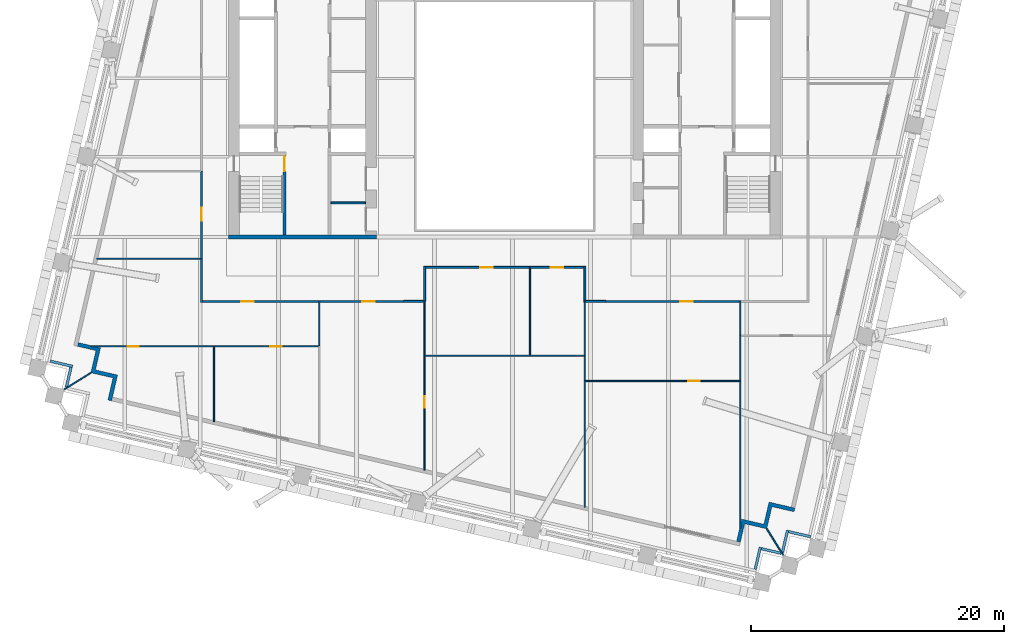
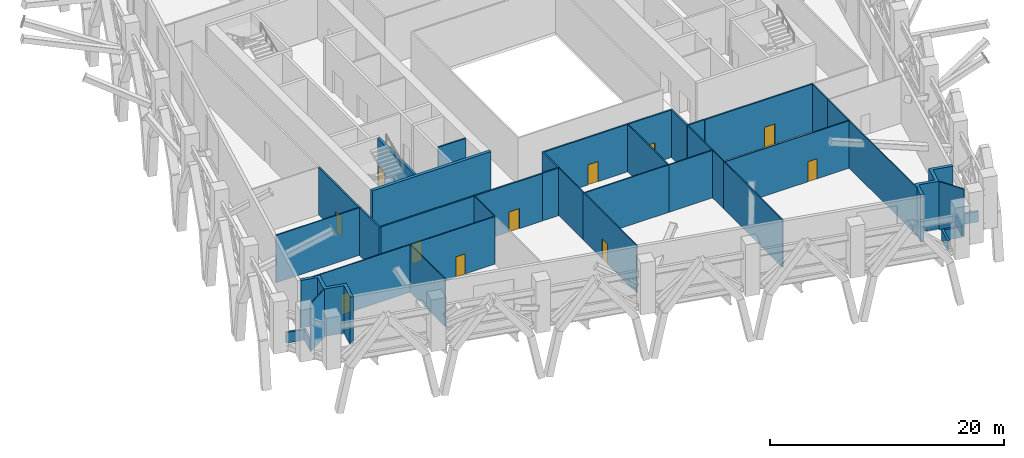
# One storey, part 6 of 20: 41 walls, 11 doors, 11 openings.
"""IFC4 building model written with IfcOpenShell, lengths in metres."""

import ifcopenshell
import ifcopenshell.guid

model = None  # the IFC model being written
_history = None  # IfcOwnerHistory: only IFC2X3 demands one
_inside = {}  # id of a spatial element -> (the spatial element, [elements in it])
_under = {}  # id of a project, library or spatial element -> (it, [spatial elements below it])
_declared = {}  # id of a project -> (the project, [libraries it declares])
_typed = {}  # id of a type object -> (the type object, [elements of that type])
_made_of = {}  # id of a material, layer set ... -> (it, [elements and type objects made of it])


def new_model(schema):
    """Start an empty IFC model of exactly this schema.

    Asked for "IFC4X3", IfcOpenShell would pick the latest addendum, in which some entities
    have other attributes; the version numbers below select the first issue.
    IFC2X3 requires an IfcOwnerHistory on every rooted entity: one is made here for all.
    """
    global model, _history
    if schema == "IFC4X3":
        model = ifcopenshell.file(schema_version=(4, 3, 0, 0))
    else:
        model = ifcopenshell.file(schema=schema)
    _inside.clear()
    _under.clear()
    _declared.clear()
    _typed.clear()
    _made_of.clear()
    _history = None
    if model.schema == "IFC2X3":
        org = make("IfcOrganization", Name="unknown")
        user = make(
            "IfcPersonAndOrganization",
            ThePerson=make("IfcPerson", FamilyName="unknown"),
            TheOrganization=org,
        )
        app = make(
            "IfcApplication",
            ApplicationDeveloper=org,
            Version="unknown",
            ApplicationFullName="unknown",
            ApplicationIdentifier="unknown",
        )
        _history = make(
            "IfcOwnerHistory",
            OwningUser=user,
            OwningApplication=app,
            ChangeAction="ADDED",
            CreationDate=0,
        )
    return model


def make(cls, **values):
    """One entity of the class cls with the attributes given. An attribute that is None is left unset."""
    return model.create_entity(
        cls, **{name: value for name, value in values.items() if value is not None}
    )


def rooted(cls, **values):
    """An entity with a GlobalId (a new one), such as an element, a storey or a relation."""
    return make(cls, GlobalId=ifcopenshell.guid.new(), OwnerHistory=_history, **values)


def si_unit(unit_type, name, prefix=None):
    """IfcSIUnit, for example si_unit("LENGTHUNIT", "METRE", prefix="MILLI")."""
    return make("IfcSIUnit", UnitType=unit_type, Prefix=prefix, Name=name)


def assignment(units):
    """IfcUnitAssignment: the units of a project."""
    return None if units is None else make("IfcUnitAssignment", Units=units)


def point(xyz):
    """IfcCartesianPoint."""
    return None if xyz is None else make("IfcCartesianPoint", Coordinates=xyz)


def direction(xyz):
    """IfcDirection."""
    return None if xyz is None else make("IfcDirection", DirectionRatios=xyz)


def frame(location, z_axis=None, x_axis=None):
    """IfcAxis2Placement3D, a coordinate frame: its origin and axes. An axis left out is left unset."""
    return make(
        "IfcAxis2Placement3D",
        Location=point(location),
        Axis=direction(z_axis),
        RefDirection=direction(x_axis),
    )


def frame_2d(location, x_axis=None):
    """IfcAxis2Placement2D, a coordinate frame in the plane: its origin and x axis."""
    return make(
        "IfcAxis2Placement2D", Location=point(location), RefDirection=direction(x_axis)
    )


def origin():
    """The frame at (0, 0, 0) with its axes left unset."""
    return frame((0.0, 0.0, 0.0))


def place(relative_to, where):
    """IfcLocalPlacement: puts the frame where relative to a parent placement (None: the world)."""
    return make(
        "IfcLocalPlacement", PlacementRelTo=relative_to, RelativePlacement=where
    )


def context(
    kind, dimensions, precision=None, world=None, true_north=None, identifier=None
):
    """IfcGeometricRepresentationContext, for example the 3D "Model" context."""
    return make(
        "IfcGeometricRepresentationContext",
        ContextIdentifier=identifier,
        ContextType=kind,
        CoordinateSpaceDimension=dimensions,
        Precision=precision,
        WorldCoordinateSystem=world,
        TrueNorth=true_north,
    )


def subcontext(parent, identifier, kind, view, scale=None):
    """IfcGeometricRepresentationSubContext, for example "Body" below "Model"."""
    return make(
        "IfcGeometricRepresentationSubContext",
        ContextIdentifier=identifier,
        ContextType=kind,
        ParentContext=parent,
        TargetScale=scale,
        TargetView=view,
    )


def project(units=None, contexts=None):
    """IfcProject with its units and contexts."""
    return rooted(
        "IfcProject",
        Name="project",
        RepresentationContexts=contexts,
        UnitsInContext=assignment(units),
    )


def spatial(cls, under=None, at=None, **own):
    """A site, building, storey or space (cls), placed at a placement, below another one or the project."""
    s = rooted(cls, ObjectPlacement=at, **own)
    if under is not None:
        _under.setdefault(under.id(), (under, []))[1].append(s)
    return s


def polyline(points):
    """IfcPolyline through the points."""
    return make("IfcPolyline", Points=[point(p) for p in points])


def profile(cls, at=None, kind="AREA", **sizes):
    """A parametric profile (cls). Its sizes go by their IFC names, for example OverallWidth=200.0."""
    return make(cls, ProfileType=kind, Position=at, **sizes)


def rectangle(**sizes):
    """IfcRectangleProfileDef."""
    return profile("IfcRectangleProfileDef", **sizes)


def outline(outer, holes=None, kind="AREA"):
    """IfcArbitraryClosedProfileDef: a profile drawn as a closed curve; with holes, ...WithVoids."""
    if holes is None:
        return make("IfcArbitraryClosedProfileDef", ProfileType=kind, OuterCurve=outer)
    return make(
        "IfcArbitraryProfileDefWithVoids",
        ProfileType=kind,
        OuterCurve=outer,
        InnerCurves=holes,
    )


def extrude(swept, where, along, depth):
    """IfcExtrudedAreaSolid: the profile swept, set in the frame where, extruded along a direction by depth."""
    return make(
        "IfcExtrudedAreaSolid",
        SweptArea=swept,
        Position=where,
        ExtrudedDirection=direction(along),
        Depth=depth,
    )


def shape(context_of_items, identifier, shape_type, items):
    """IfcShapeRepresentation: the items that make up one representation, for example the "Body"."""
    return make(
        "IfcShapeRepresentation",
        ContextOfItems=context_of_items,
        RepresentationIdentifier=identifier,
        RepresentationType=shape_type,
        Items=items,
    )


def material(Name=None, Category=None):
    """IfcMaterial."""
    return make("IfcMaterial", Name=Name, Category=Category)


def layer(
    of_material, thickness, ventilated=None, Name=None, Category=None, Priority=None
):
    """IfcMaterialLayer: one layer of a wall or slab, of a material (None: an air gap)."""
    return make(
        "IfcMaterialLayer",
        Material=of_material,
        LayerThickness=thickness,
        IsVentilated=ventilated,
        Name=Name,
        Category=Category,
        Priority=Priority,
    )


def layer_set(layers, Name=None):
    """IfcMaterialLayerSet."""
    return make("IfcMaterialLayerSet", MaterialLayers=layers, LayerSetName=Name)


def made_of(thing, what):
    """Note that an element or type object is made of a material, layer set ...; save() writes the relation."""
    if what is not None:
        _made_of.setdefault(what.id(), (what, []))[1].append(thing)
    return thing


def type_object(cls, material=None, **own):
    """A type object (cls), such as IfcWallType, which elements share."""
    return made_of(rooted(cls, **own), material)


def element(
    cls,
    number,
    at=None,
    inside=None,
    cuts=None,
    type_object=None,
    material=None,
    context=None,
    identifier="Body",
    shape_type=None,
    held_by="IfcProductDefinitionShape",
    body=None,
    shapes=None,
    **own,
):
    """One element of the class cls, such as IfcWall. Its Tag is "e" and its number.

    at: its placement. inside: the storey or other place that contains it. cuts: it is an
    opening in that element (IfcRelVoidsElement). A single representation is given by context,
    identifier, shape_type and body (its items); several are given by shapes. held_by: the class
    of the entity that holds the representations. save() writes the other relations.
    """
    e = rooted(cls, Tag="e%d" % number, ObjectPlacement=at, **own)
    if body is not None:
        shapes = [shape(context, identifier, shape_type, body)]
    if shapes is not None:
        e.Representation = make(held_by, Representations=shapes)
    if inside is not None:
        _inside.setdefault(inside.id(), (inside, []))[1].append(e)
    if cuts is not None:
        rooted(
            "IfcRelVoidsElement", RelatingBuildingElement=cuts, RelatedOpeningElement=e
        )
    if type_object is not None:
        _typed.setdefault(type_object.id(), (type_object, []))[1].append(e)
    return made_of(e, material)


def fill(opening, filler):
    """IfcRelFillsElement: the door or window that sits in an opening."""
    return rooted(
        "IfcRelFillsElement",
        RelatingOpeningElement=opening,
        RelatedBuildingElement=filler,
    )


def aggregate(whole, parts):
    """IfcRelAggregates: a whole, such as a stair, and the parts it consists of."""
    return rooted("IfcRelAggregates", RelatingObject=whole, RelatedObjects=parts)


def save(model, path):
    """Write the relations noted so far, then the file.

    IfcRelAggregates (storeys below a building ...), IfcRelContainedInSpatialStructure (elements
    in a storey), IfcRelDefinesByType, IfcRelAssociatesMaterial and IfcRelDeclares: one each for
    every whole, place, type object, material and project.
    """
    for whole, parts in _under.values():
        aggregate(whole, parts)
    for where, things in _inside.values():
        rooted(
            "IfcRelContainedInSpatialStructure",
            RelatedElements=things,
            RelatingStructure=where,
        )
    for kind, things in _typed.values():
        rooted("IfcRelDefinesByType", RelatedObjects=things, RelatingType=kind)
    for what, things in _made_of.values():
        rooted("IfcRelAssociatesMaterial", RelatedObjects=things, RelatingMaterial=what)
    for by, libraries in _declared.values():
        rooted("IfcRelDeclares", RelatingContext=by, RelatedDefinitions=libraries)
    model.write(path)


model = new_model("IFC4")

# Units and contexts
model_context = context("Model", 3, precision=1e-05, world=origin(), true_north=direction((0.0, 1.0)))
body_context = subcontext(model_context, "Body", "Model", "MODEL_VIEW")
ifc_project = project(units=[si_unit("LENGTHUNIT", "METRE"), si_unit("AREAUNIT", "SQUARE_METRE"), si_unit("VOLUMEUNIT", "CUBIC_METRE"), si_unit("PLANEANGLEUNIT", "RADIAN"), si_unit("MASSUNIT", "GRAM", prefix="KILO")], contexts=[model_context])

# Site, building, storey
site_placement = place(None, origin())
site = spatial("IfcSite", under=ifc_project, at=site_placement, CompositionType="ELEMENT")
building_placement = place(site_placement, origin())
building = spatial("IfcBuilding", under=site, at=building_placement, Name="Ogive Exchange Tower", CompositionType="ELEMENT")
storey_placement = place(building_placement, frame((0.0, 0.0, 160.199951171875)))
storey = spatial("IfcBuildingStorey", under=building, at=storey_placement, Name="L35", CompositionType="ELEMENT", Elevation=160.199951171875)

# Walls
ifc_material_1 = material(Name="Gypsum board partition")
ifc_layer_1 = layer(ifc_material_1, 0.14990234375)
ifc_layer_set_1 = layer_set([ifc_layer_1], Name="Core room partition 150 gypsum")
wall_type_1 = type_object("IfcWallType", Name="Core room partition 150 gypsum", PredefinedType="PARTITIONING", material=ifc_layer_set_1)
wall_1_placement = place(storey_placement, frame((-13.75, 0.10009765625, 0.0), z_axis=(0.0, 0.0, 1.0), x_axis=(1.0, 0.0, 0.0)))
element("IfcWall", 1, at=wall_1_placement, inside=storey, type_object=wall_type_1, Name="W south room partition", PredefinedType="PARTITIONING", context=body_context, shape_type="SweptSolid", body=[
    extrude(rectangle(XDim=2.75, YDim=0.14990234375, at=frame_2d((1.375, 0.0))), origin(), (0.0, 0.0, 1.0), 4.949951171875),
])
ifc_material_2 = material(Name="Fire partition EI 60 150")
ifc_layer_2 = layer(ifc_material_2, 0.14990234375)
ifc_layer_set_2 = layer_set([ifc_layer_2], Name="Fire partition EI 60 150")
wall_type_2 = type_object("IfcWallType", Name="Fire partition EI 60 150", PredefinedType="PARTITIONING", material=ifc_layer_set_2)
wall_2_placement = place(storey_placement, frame((-24.0, -7.77490234375, 0.0), z_axis=(0.0, 0.0, 1.0), x_axis=(0.0, 1.0, 0.0)))
element("IfcWall", 2, at=wall_2_placement, inside=storey, type_object=wall_type_2, Name="L35-PWL-002", PredefinedType="PARTITIONING", context=body_context, shape_type="SweptSolid", body=[
    extrude(rectangle(XDim=3.454833984375, YDim=0.14990234375, at=frame_2d((1.7275390625, 0.0))), origin(), (0.0, 0.0, 1.0), 4.949951171875),
])

# Wall, opening, door
wall_3_placement = place(storey_placement, frame((-24.0, -4.320068359375, 0.0), z_axis=(0.0, 0.0, 1.0), x_axis=(0.0, 1.0, 0.0)))
wall_3 = element("IfcWall", 3, at=wall_3_placement, inside=storey, type_object=wall_type_2, Name="L35-PWL-004", PredefinedType="PARTITIONING", context=body_context, shape_type="SweptSolid", body=[
    extrude(rectangle(XDim=6.93017578125, YDim=0.14990234375, at=frame_2d((3.465087890625, 0.0))), origin(), (0.0, 0.0, 1.0), 4.949951171875),
])
opening_1_placement = place(wall_3_placement, frame((3.030029296875, 0.0, 0.0)))
opening_1 = element("IfcOpeningElement", 4, at=opening_1_placement, cuts=wall_3, Name="Opening L35-I17", PredefinedType="OPENING", context=body_context, shape_type="SweptSolid", body=[
    extrude(rectangle(XDim=1.0, YDim=2.10009765625, at=frame_2d((0.5, 1.050048828125))), frame((0.0, 0.0849609375, 0.0), z_axis=(0.0, -1.0, 0.0), x_axis=(1.0, 0.0, 0.0)), (0.0, 0.0, 1.0), 0.169921875),
])
ifc_material_3 = material(Name="Fire door FD 30S 1000 x 2100")
door_type_1 = type_object("IfcDoorType", Name="Fire door FD 30S 1000 x 2100", OperationType="NOTDEFINED", PredefinedType="DOOR", material=ifc_material_3)
door_1_placement = place(opening_1_placement, origin())
door_1 = element("IfcDoor", 5, at=door_1_placement, inside=storey, type_object=door_type_1, Name="L35-IDR-017", ObjectType="DT3", OperationType="SINGLE_SWING_LEFT", OverallHeight=2.10009765625, OverallWidth=1.0, PredefinedType="DOOR", context=body_context, shape_type="SweptSolid", body=[
    extrude(rectangle(XDim=1.0, YDim=2.10009765625, at=frame_2d((0.5, 1.050048828125))), frame((0.0, 0.02490234375, 0.0), z_axis=(0.0, -1.0, 0.0), x_axis=(1.0, 0.0, 0.0)), (0.0, 0.0, 1.0), 0.050048828125),
])
fill(opening_1, door_1)

wall_4_placement = place(storey_placement, frame((-14.719970703125, -7.699951171875, 0.0), z_axis=(0.0, 0.0, 1.0), x_axis=(-1.0, 0.0, 0.0)))
wall_4 = element("IfcWall", 6, at=wall_4_placement, inside=storey, type_object=wall_type_2, Name="L35-PWL-014", PredefinedType="PARTITIONING", context=body_context, shape_type="SweptSolid", body=[
    extrude(rectangle(XDim=9.205078125, YDim=0.14990234375, at=frame_2d((4.6025390625, 0.0))), origin(), (0.0, 0.0, 1.0), 4.949951171875),
])
opening_2_placement = place(wall_4_placement, frame((5.1298828125, 0.0, 0.0)))
opening_2 = element("IfcOpeningElement", 7, at=opening_2_placement, cuts=wall_4, Name="Opening L35-I19", PredefinedType="OPENING", context=body_context, shape_type="SweptSolid", body=[
    extrude(rectangle(XDim=1.0, YDim=2.10009765625, at=frame_2d((0.5, 1.050048828125))), frame((0.0, 0.0849609375, 0.0), z_axis=(0.0, -1.0, 0.0), x_axis=(1.0, 0.0, 0.0)), (0.0, 0.0, 1.0), 0.169921875),
])
door_2_placement = place(opening_2_placement, origin())
door_2 = element("IfcDoor", 8, at=door_2_placement, inside=storey, type_object=door_type_1, Name="L35-IDR-019", ObjectType="DT3", OperationType="SINGLE_SWING_RIGHT", OverallHeight=2.10009765625, OverallWidth=1.0, PredefinedType="DOOR", context=body_context, shape_type="SweptSolid", body=[
    extrude(rectangle(XDim=1.0, YDim=2.10009765625, at=frame_2d((0.5, 1.050048828125))), frame((0.0, 0.02490234375, 0.0), z_axis=(0.0, -1.0, 0.0), x_axis=(1.0, 0.0, 0.0)), (0.0, 0.0, 1.0), 0.050048828125),
])
fill(opening_2, door_2)

wall_5_placement = place(storey_placement, frame((-8.0, -7.699951171875, 0.0), z_axis=(0.0, 0.0, 1.0), x_axis=(-1.0, 0.0, 0.0)))
wall_5 = element("IfcWall", 9, at=wall_5_placement, inside=storey, type_object=wall_type_2, Name="L35-PWL-019", PredefinedType="PARTITIONING", context=body_context, shape_type="SweptSolid", body=[
    extrude(rectangle(XDim=6.6201171875, YDim=0.14990234375, at=frame_2d((3.31005859375, 0.0))), origin(), (0.0, 0.0, 1.0), 4.949951171875),
])
opening_3_placement = place(wall_5_placement, frame((2.27001953125, 0.0, 0.0)))
opening_3 = element("IfcOpeningElement", 10, at=opening_3_placement, cuts=wall_5, Name="Opening L35-I18", PredefinedType="OPENING", context=body_context, shape_type="SweptSolid", body=[
    extrude(rectangle(XDim=1.0, YDim=2.10009765625, at=frame_2d((0.5, 1.050048828125))), frame((0.0, 0.0849609375, 0.0), z_axis=(0.0, -1.0, 0.0), x_axis=(1.0, 0.0, 0.0)), (0.0, 0.0, 1.0), 0.169921875),
])
door_3_placement = place(opening_3_placement, origin())
door_3 = element("IfcDoor", 11, at=door_3_placement, inside=storey, type_object=door_type_1, Name="L35-IDR-018", ObjectType="DT3", OperationType="SINGLE_SWING_LEFT", OverallHeight=2.10009765625, OverallWidth=1.0, PredefinedType="DOOR", context=body_context, shape_type="SweptSolid", body=[
    extrude(rectangle(XDim=1.0, YDim=2.10009765625, at=frame_2d((0.5, 1.050048828125))), frame((0.0, 0.02490234375, 0.0), z_axis=(0.0, -1.0, 0.0), x_axis=(1.0, 0.0, 0.0)), (0.0, 0.0, 1.0), 0.050048828125),
])
fill(opening_3, door_3)

# Walls
wall_6_placement = place(storey_placement, frame((-6.389892578125, -7.68994140625, 0.0), z_axis=(0.0, 0.0, 1.0), x_axis=(-1.0, 0.0, 0.0)))
element("IfcWall", 12, at=wall_6_placement, inside=storey, type_object=wall_type_2, Name="L35-PWL-027", PredefinedType="PARTITIONING", context=body_context, shape_type="SweptSolid", body=[
    extrude(rectangle(XDim=1.610107421875, YDim=0.14990234375, at=frame_2d((0.80517578125, 0.0))), origin(), (0.0, 0.0, 1.0), 4.949951171875),
])
wall_7_placement = place(storey_placement, frame((-6.340087890625, -4.925048828125, 0.0), z_axis=(0.0, 0.0, 1.0), x_axis=(0.0, -1.0, 0.0)))
element("IfcWall", 13, at=wall_7_placement, inside=storey, type_object=wall_type_2, Name="L35-PWL-028", PredefinedType="PARTITIONING", context=body_context, shape_type="SweptSolid", body=[
    extrude(rectangle(XDim=2.764892578125, YDim=0.14990234375, at=frame_2d((1.38232421875, 0.0))), origin(), (0.0, 0.0, 1.0), 4.949951171875),
])

# Wall, opening, door
wall_8_placement = place(storey_placement, frame((1.949951171875, -5.0, 0.0), z_axis=(0.0, 0.0, 1.0), x_axis=(-1.0, 0.0, 0.0)))
wall_8 = element("IfcWall", 14, at=wall_8_placement, inside=storey, type_object=wall_type_2, Name="L35-PWL-034", PredefinedType="PARTITIONING", context=body_context, shape_type="SweptSolid", body=[
    extrude(rectangle(XDim=8.21484375, YDim=0.14990234375, at=frame_2d((4.107421875, 0.0))), origin(), (0.0, 0.0, 1.0), 4.949951171875),
])
opening_4_placement = place(wall_8_placement, frame((2.889892578125, 0.0, 0.0)))
opening_4 = element("IfcOpeningElement", 15, at=opening_4_placement, cuts=wall_8, Name="Opening L35-I16", PredefinedType="OPENING", context=body_context, shape_type="SweptSolid", body=[
    extrude(rectangle(XDim=1.0, YDim=2.10009765625, at=frame_2d((0.5, 1.050048828125))), frame((0.0, 0.0849609375, 0.0), z_axis=(0.0, -1.0, 0.0), x_axis=(1.0, 0.0, 0.0)), (0.0, 0.0, 1.0), 0.169921875),
])
door_4_placement = place(opening_4_placement, origin())
door_4 = element("IfcDoor", 16, at=door_4_placement, inside=storey, type_object=door_type_1, Name="L35-IDR-016", ObjectType="DT3", OperationType="SINGLE_SWING_RIGHT", OverallHeight=2.10009765625, OverallWidth=1.0, PredefinedType="DOOR", context=body_context, shape_type="SweptSolid", body=[
    extrude(rectangle(XDim=1.0, YDim=2.10009765625, at=frame_2d((0.5, 1.050048828125))), frame((0.0, 0.02490234375, 0.0), z_axis=(0.0, -1.0, 0.0), x_axis=(1.0, 0.0, 0.0)), (0.0, 0.0, 1.0), 0.050048828125),
])
fill(opening_4, door_4)

# Wall
wall_9_placement = place(storey_placement, frame((6.340087890625, -7.764892578125, 0.0), z_axis=(0.0, 0.0, 1.0), x_axis=(0.0, 1.0, 0.0)))
element("IfcWall", 17, at=wall_9_placement, inside=storey, type_object=wall_type_2, Name="L35-PWL-039", PredefinedType="PARTITIONING", context=body_context, shape_type="SweptSolid", body=[
    extrude(rectangle(XDim=2.83984375, YDim=0.14990234375, at=frame_2d((1.419921875, 0.0))), origin(), (0.0, 0.0, 1.0), 4.949951171875),
])

# Wall, opening, door
wall_10_placement = place(storey_placement, frame((6.264892578125, -5.0, 0.0), z_axis=(0.0, 0.0, 1.0), x_axis=(-1.0, 0.0, 0.0)))
wall_10 = element("IfcWall", 18, at=wall_10_placement, inside=storey, type_object=wall_type_2, Name="L35-PWL-040", PredefinedType="PARTITIONING", context=body_context, shape_type="SweptSolid", body=[
    extrude(rectangle(XDim=4.21484375, YDim=0.14990234375, at=frame_2d((2.107421875, 0.0))), origin(), (0.0, 0.0, 1.0), 4.949951171875),
])
opening_5_placement = place(wall_10_placement, frame((1.614990234375, 0.0, 0.0)))
opening_5 = element("IfcOpeningElement", 19, at=opening_5_placement, cuts=wall_10, Name="Opening L35-I15", PredefinedType="OPENING", context=body_context, shape_type="SweptSolid", body=[
    extrude(rectangle(XDim=1.0, YDim=2.10009765625, at=frame_2d((0.5, 1.050048828125))), frame((0.0, 0.0849609375, 0.0), z_axis=(0.0, -1.0, 0.0), x_axis=(1.0, 0.0, 0.0)), (0.0, 0.0, 1.0), 0.169921875),
])
door_5_placement = place(opening_5_placement, origin())
door_5 = element("IfcDoor", 20, at=door_5_placement, inside=storey, type_object=door_type_1, Name="L35-IDR-015", ObjectType="DT3", OperationType="SINGLE_SWING_LEFT", OverallHeight=2.10009765625, OverallWidth=1.0, PredefinedType="DOOR", context=body_context, shape_type="SweptSolid", body=[
    extrude(rectangle(XDim=1.0, YDim=2.10009765625, at=frame_2d((0.5, 1.050048828125))), frame((0.0, 0.02490234375, 0.0), z_axis=(0.0, -1.0, 0.0), x_axis=(1.0, 0.0, 0.0)), (0.0, 0.0, 1.0), 0.050048828125),
])
fill(opening_5, door_5)

# Wall
wall_11_placement = place(storey_placement, frame((8.0, -7.68994140625, 0.0), z_axis=(0.0, 0.0, 1.0), x_axis=(-1.0, 0.0, 0.0)))
element("IfcWall", 21, at=wall_11_placement, inside=storey, type_object=wall_type_2, Name="L35-PWL-041", PredefinedType="PARTITIONING", context=body_context, shape_type="SweptSolid", body=[
    extrude(rectangle(XDim=1.610107421875, YDim=0.14990234375, at=frame_2d((0.80517578125, 0.0))), origin(), (0.0, 0.0, 1.0), 4.949951171875),
])

# Wall, opening, door
wall_12_placement = place(storey_placement, frame((18.60009765625, -7.699951171875, 0.0), z_axis=(0.0, 0.0, 1.0), x_axis=(-1.0, 0.0, 0.0)))
wall_12 = element("IfcWall", 22, at=wall_12_placement, inside=storey, type_object=wall_type_2, Name="L35-PWL-049", PredefinedType="PARTITIONING", context=body_context, shape_type="SweptSolid", body=[
    extrude(rectangle(XDim=10.60009765625, YDim=0.14990234375, at=frame_2d((5.300048828125, 0.0))), origin(), (0.0, 0.0, 1.0), 4.949951171875),
])
opening_6_placement = place(wall_12_placement, frame((3.699951171875, 0.0, 0.0)))
opening_6 = element("IfcOpeningElement", 23, at=opening_6_placement, cuts=wall_12, Name="Opening L35-I13", PredefinedType="OPENING", context=body_context, shape_type="SweptSolid", body=[
    extrude(rectangle(XDim=1.0, YDim=2.10009765625, at=frame_2d((0.5, 1.050048828125))), frame((0.0, 0.0849609375, 0.0), z_axis=(0.0, -1.0, 0.0), x_axis=(1.0, 0.0, 0.0)), (0.0, 0.0, 1.0), 0.169921875),
])
door_6_placement = place(opening_6_placement, origin())
door_6 = element("IfcDoor", 24, at=door_6_placement, inside=storey, type_object=door_type_1, Name="L35-IDR-013", ObjectType="DT3", OperationType="SINGLE_SWING_RIGHT", OverallHeight=2.10009765625, OverallWidth=1.0, PredefinedType="DOOR", context=body_context, shape_type="SweptSolid", body=[
    extrude(rectangle(XDim=1.0, YDim=2.10009765625, at=frame_2d((0.5, 1.050048828125))), frame((0.0, 0.02490234375, 0.0), z_axis=(0.0, -1.0, 0.0), x_axis=(1.0, 0.0, 0.0)), (0.0, 0.0, 1.0), 0.050048828125),
])
fill(opening_6, door_6)

# Walls
ifc_material_4 = material(Name="Precast concrete C40/50", Category="concrete")
ifc_layer_3 = layer(ifc_material_4, 0.300048828125)
ifc_layer_set_3 = layer_set([ifc_layer_3], Name="Limestone-faced wall 300")
wall_type_3 = type_object("IfcWallType", Name="Limestone-faced wall 300", PredefinedType="STANDARD", material=ifc_layer_set_3)
wall_13_placement = place(storey_placement, origin())
element("IfcWall", 25, at=wall_13_placement, inside=storey, type_object=wall_type_3, Name="External corner wall C1", PredefinedType="STANDARD", context=body_context, shape_type="SweptSolid", body=[
    extrude(outline(polyline([(20.515380859375, -25.330810546875), (20.92041015625, -23.576904296875), (22.966552734375, -24.04931640625), (22.89892578125, -24.341552734375), (21.145263671875, -23.936767578125), (20.740234375, -25.690673828125), (18.986328125, -25.28564453125), (18.64892578125, -26.747314453125), (18.356689453125, -26.6796875), (18.76171875, -24.92578125), (20.515380859375, -25.330810546875)])), origin(), (0.0, 0.0, 1.0), 4.949951171875),
])
wall_14_placement = place(storey_placement, origin())
element("IfcWall", 26, at=wall_14_placement, inside=storey, type_object=wall_type_3, Name="External corner wall C4", PredefinedType="STANDARD", context=body_context, shape_type="SweptSolid", body=[
    extrude(outline(polyline([(-32.392822265625, -13.115966796875), (-30.638916015625, -13.52099609375), (-31.111328125, -15.56689453125), (-31.40380859375, -15.49951171875), (-30.998779296875, -13.74560546875), (-32.752685546875, -13.3408203125), (-32.34765625, -11.5869140625), (-33.809326171875, -11.24951171875), (-33.74169921875, -10.957275390625), (-31.98779296875, -11.362060546875), (-32.392822265625, -13.115966796875)])), origin(), (0.0, 0.0, 1.0), 4.949951171875),
])
ifc_material_5 = material(Name="Laminated safety glass in steel frame", Category="steel")
ifc_layer_4 = layer(ifc_material_5, 0.10009765625)
ifc_layer_set_4 = layer_set([ifc_layer_4], Name="Loggia end screen 100")
wall_type_4 = type_object("IfcWallType", Name="Loggia end screen 100", PredefinedType="STANDARD", material=ifc_layer_set_4)
for number, where, z_axis, x_axis, name in (
    (27, (20.740234375, -25.690673828125, -0.050048828125), (0.0, 0.0, 1.0), (0.529972121605, -0.848015064914, 0.0), "Loggia end screen C1"),
    (28, (-32.752685546875, -13.3408203125, -0.050048828125), (0.0, 0.0, 1.0), (-0.848059759764, -0.529900598103, 0.0), "Loggia end screen C4"),
):
    element("IfcWall", number, at=place(storey_placement, frame(where, z_axis=z_axis, x_axis=x_axis)), inside=storey, type_object=wall_type_4, Name=name, PredefinedType="STANDARD", context=body_context, shape_type="SweptSolid", body=[
        extrude(rectangle(XDim=2.454833984375, YDim=0.10009765625, at=frame_2d((1.2275390625, 0.0))), origin(), (0.0, 0.0, 1.0), 5.0),
    ])
ifc_material_6 = material(Name="Partition 100 gypsum")
ifc_layer_5 = layer(ifc_material_6, 0.10009765625)
ifc_layer_set_5 = layer_set([ifc_layer_5], Name="Partition 100 gypsum")
wall_type_5 = type_object("IfcWallType", Name="Partition 100 gypsum", PredefinedType="PARTITIONING", material=ifc_layer_set_5)
wall_15_placement = place(storey_placement, frame((-24.074951171875, -4.320068359375, 0.0), z_axis=(0.0, 0.0, 1.0), x_axis=(-1.0, 0.0, 0.0)))
element("IfcWall", 29, at=wall_15_placement, inside=storey, type_object=wall_type_5, Name="L35-PWL-003", PredefinedType="PARTITIONING", context=body_context, shape_type="SweptSolid", body=[
    extrude(rectangle(XDim=8.217041015625, YDim=0.10009765625, at=frame_2d((4.1083984375, 0.0))), origin(), (0.0, 0.0, 1.0), 4.949951171875),
])
wall_16_placement = place(storey_placement, frame((-23.010009765625, -17.2119140625, 0.0), z_axis=(0.0, 0.0, 1.0), x_axis=(0.0, 1.0, 0.0)))
element("IfcWall", 30, at=wall_16_placement, inside=storey, type_object=wall_type_5, Name="L35-PWL-009", PredefinedType="PARTITIONING", context=body_context, shape_type="SweptSolid", body=[
    extrude(rectangle(XDim=6.011962890625, YDim=0.10009765625, at=frame_2d((3.005859375, 0.0))), origin(), (0.0, 0.0, 1.0), 4.949951171875),
])

# Wall, opening, door
wall_17_placement = place(storey_placement, frame((-23.06005859375, -11.25, 0.0), z_axis=(0.0, 0.0, 1.0), x_axis=(-1.0, 0.0, 0.0)))
wall_17 = element("IfcWall", 31, at=wall_17_placement, inside=storey, type_object=wall_type_5, Name="L35-PWL-010", PredefinedType="PARTITIONING", context=body_context, shape_type="SweptSolid", body=[
    extrude(rectangle(XDim=9.657958984375, YDim=0.10009765625, at=frame_2d((4.8291015625, 0.0))), origin(), (0.0, 0.0, 1.0), 4.949951171875),
])
opening_7_placement = place(wall_17_placement, frame((5.889892578125, 0.0, 0.0)))
opening_7 = element("IfcOpeningElement", 32, at=opening_7_placement, cuts=wall_17, Name="Opening L35-I21", PredefinedType="OPENING", context=body_context, shape_type="SweptSolid", body=[
    extrude(rectangle(XDim=0.89990234375, YDim=2.10009765625, at=frame_2d((0.449951171875, 1.050048828125))), frame((0.0, 0.06005859375, 0.0), z_axis=(0.0, -1.0, 0.0), x_axis=(1.0, 0.0, 0.0)), (0.0, 0.0, 1.0), 0.1201171875),
])
ifc_material_7 = material(Name="Door 900 x 2100")
door_type_2 = type_object("IfcDoorType", Name="Door 900 x 2100", OperationType="NOTDEFINED", PredefinedType="DOOR", material=ifc_material_7)
door_7_placement = place(opening_7_placement, origin())
door_7 = element("IfcDoor", 33, at=door_7_placement, inside=storey, type_object=door_type_2, Name="L35-IDR-021", ObjectType="DT1", OperationType="SINGLE_SWING_LEFT", OverallHeight=2.10009765625, OverallWidth=0.89990234375, PredefinedType="DOOR", context=body_context, shape_type="SweptSolid", body=[
    extrude(rectangle(XDim=0.89990234375, YDim=2.10009765625, at=frame_2d((0.449951171875, 1.050048828125))), frame((0.0, 0.02490234375, 0.0), z_axis=(0.0, -1.0, 0.0), x_axis=(1.0, 0.0, 0.0)), (0.0, 0.0, 1.0), 0.050048828125),
])
fill(opening_7, door_7)

wall_18_placement = place(storey_placement, frame((-14.719970703125, -11.25, 0.0), z_axis=(0.0, 0.0, 1.0), x_axis=(-1.0, 0.0, 0.0)))
wall_18 = element("IfcWall", 34, at=wall_18_placement, inside=storey, type_object=wall_type_5, Name="L35-PWL-012", PredefinedType="PARTITIONING", context=body_context, shape_type="SweptSolid", body=[
    extrude(rectangle(XDim=8.239990234375, YDim=0.10009765625, at=frame_2d((4.1201171875, 0.0))), origin(), (0.0, 0.0, 1.0), 4.949951171875),
])
opening_8_placement = place(wall_18_placement, frame((2.93994140625, 0.0, 0.0)))
opening_8 = element("IfcOpeningElement", 35, at=opening_8_placement, cuts=wall_18, Name="Opening L35-I20", PredefinedType="OPENING", context=body_context, shape_type="SweptSolid", body=[
    extrude(rectangle(XDim=0.89990234375, YDim=2.10009765625, at=frame_2d((0.449951171875, 1.050048828125))), frame((0.0, 0.06005859375, 0.0), z_axis=(0.0, -1.0, 0.0), x_axis=(1.0, 0.0, 0.0)), (0.0, 0.0, 1.0), 0.1201171875),
])
door_8_placement = place(opening_8_placement, origin())
door_8 = element("IfcDoor", 36, at=door_8_placement, inside=storey, type_object=door_type_2, Name="L35-IDR-020", ObjectType="DT1", OperationType="SINGLE_SWING_RIGHT", OverallHeight=2.10009765625, OverallWidth=0.89990234375, PredefinedType="DOOR", context=body_context, shape_type="SweptSolid", body=[
    extrude(rectangle(XDim=0.89990234375, YDim=2.10009765625, at=frame_2d((0.449951171875, 1.050048828125))), frame((0.0, 0.02490234375, 0.0), z_axis=(0.0, -1.0, 0.0), x_axis=(1.0, 0.0, 0.0)), (0.0, 0.0, 1.0), 0.050048828125),
])
fill(opening_8, door_8)

# Wall
wall_19_placement = place(storey_placement, frame((-14.669921875, -11.199951171875, 0.0), z_axis=(0.0, 0.0, 1.0), x_axis=(0.0, 1.0, 0.0)))
element("IfcWall", 37, at=wall_19_placement, inside=storey, type_object=wall_type_5, Name="L35-PWL-013", PredefinedType="PARTITIONING", context=body_context, shape_type="SweptSolid", body=[
    extrude(rectangle(XDim=3.574951171875, YDim=0.10009765625, at=frame_2d((1.78759765625, 0.0))), origin(), (0.0, 0.0, 1.0), 4.949951171875),
])

# Wall, opening, door
wall_20_placement = place(storey_placement, frame((-6.340087890625, -21.06103515625, 0.0), z_axis=(0.0, 0.0, 1.0), x_axis=(0.0, 1.0, 0.0)))
wall_20 = element("IfcWall", 38, at=wall_20_placement, inside=storey, type_object=wall_type_5, Name="L35-PWL-024", PredefinedType="PARTITIONING", context=body_context, shape_type="SweptSolid", body=[
    extrude(rectangle(XDim=9.111083984375, YDim=0.10009765625, at=frame_2d((4.5556640625, 0.0))), origin(), (0.0, 0.0, 1.0), 4.949951171875),
])
opening_9_placement = place(wall_20_placement, frame((4.970947265625, 0.0, 0.0)))
opening_9 = element("IfcOpeningElement", 39, at=opening_9_placement, cuts=wall_20, Name="Opening L35-I14", PredefinedType="OPENING", context=body_context, shape_type="SweptSolid", body=[
    extrude(rectangle(XDim=0.89990234375, YDim=2.10009765625, at=frame_2d((0.449951171875, 1.050048828125))), frame((0.0, 0.06005859375, 0.0), z_axis=(0.0, -1.0, 0.0), x_axis=(1.0, 0.0, 0.0)), (0.0, 0.0, 1.0), 0.1201171875),
])
door_9_placement = place(opening_9_placement, origin())
door_9 = element("IfcDoor", 40, at=door_9_placement, inside=storey, type_object=door_type_2, Name="L35-IDR-014", ObjectType="DT1", OperationType="SINGLE_SWING_LEFT", OverallHeight=2.10009765625, OverallWidth=0.89990234375, PredefinedType="DOOR", context=body_context, shape_type="SweptSolid", body=[
    extrude(rectangle(XDim=0.89990234375, YDim=2.10009765625, at=frame_2d((0.449951171875, 1.050048828125))), frame((0.0, 0.02490234375, 0.0), z_axis=(0.0, -1.0, 0.0), x_axis=(1.0, 0.0, 0.0)), (0.0, 0.0, 1.0), 0.050048828125),
])
fill(opening_9, door_9)

# Walls
wall_21_placement = place(storey_placement, frame((-6.340087890625, -11.949951171875, 0.0), z_axis=(0.0, 0.0, 1.0), x_axis=(0.0, 1.0, 0.0)))
element("IfcWall", 41, at=wall_21_placement, inside=storey, type_object=wall_type_5, Name="L35-PWL-025", PredefinedType="PARTITIONING", context=body_context, shape_type="SweptSolid", body=[
    extrude(rectangle(XDim=4.260009765625, YDim=0.10009765625, at=frame_2d((2.1298828125, 0.0))), origin(), (0.0, 0.0, 1.0), 4.949951171875),
])
wall_22_placement = place(storey_placement, frame((-6.2900390625, -12.0, 0.0), z_axis=(0.0, 0.0, 1.0), x_axis=(1.0, 0.0, 0.0)))
element("IfcWall", 42, at=wall_22_placement, inside=storey, type_object=wall_type_5, Name="L35-PWL-026", PredefinedType="PARTITIONING", context=body_context, shape_type="SweptSolid", body=[
    extrude(rectangle(XDim=8.340087890625, YDim=0.10009765625, at=frame_2d((4.169921875, 0.0))), origin(), (0.0, 0.0, 1.0), 4.949951171875),
])
wall_23_placement = place(storey_placement, frame((2.0, -11.949951171875, 0.0), z_axis=(0.0, 0.0, 1.0), x_axis=(0.0, 1.0, 0.0)))
element("IfcWall", 43, at=wall_23_placement, inside=storey, type_object=wall_type_5, Name="L35-PWL-032", PredefinedType="PARTITIONING", context=body_context, shape_type="SweptSolid", body=[
    extrude(rectangle(XDim=7.02490234375, YDim=0.10009765625, at=frame_2d((3.512451171875, 0.0))), origin(), (0.0, 0.0, 1.0), 4.949951171875),
])
wall_24_placement = place(storey_placement, frame((2.0, -12.0, 0.0), z_axis=(0.0, 0.0, 1.0), x_axis=(1.0, 0.0, 0.0)))
element("IfcWall", 44, at=wall_24_placement, inside=storey, type_object=wall_type_5, Name="L35-PWL-033", PredefinedType="PARTITIONING", context=body_context, shape_type="SweptSolid", body=[
    extrude(rectangle(XDim=4.389892578125, YDim=0.10009765625, at=frame_2d((2.19482421875, 0.0))), origin(), (0.0, 0.0, 1.0), 4.949951171875),
])
wall_25_placement = place(storey_placement, frame((6.340087890625, -23.988037109375, 0.0), z_axis=(0.0, 0.0, 1.0), x_axis=(0.0, 1.0, 0.0)))
element("IfcWall", 45, at=wall_25_placement, inside=storey, type_object=wall_type_5, Name="L35-PWL-035", PredefinedType="PARTITIONING", context=body_context, shape_type="SweptSolid", body=[
    extrude(rectangle(XDim=10.0380859375, YDim=0.10009765625, at=frame_2d((5.01904296875, 0.0))), origin(), (0.0, 0.0, 1.0), 4.949951171875),
])
wall_26_placement = place(storey_placement, frame((6.340087890625, -13.949951171875, 0.0), z_axis=(0.0, 0.0, 1.0), x_axis=(0.0, 1.0, 0.0)))
element("IfcWall", 46, at=wall_26_placement, inside=storey, type_object=wall_type_5, Name="L35-PWL-036", PredefinedType="PARTITIONING", context=body_context, shape_type="SweptSolid", body=[
    extrude(rectangle(XDim=1.89990234375, YDim=0.10009765625, at=frame_2d((0.949951171875, 0.0))), origin(), (0.0, 0.0, 1.0), 4.949951171875),
])

# Wall, opening, door
wall_27_placement = place(storey_placement, frame((6.389892578125, -14.0, 0.0), z_axis=(0.0, 0.0, 1.0), x_axis=(1.0, 0.0, 0.0)))
wall_27 = element("IfcWall", 47, at=wall_27_placement, inside=storey, type_object=wall_type_5, Name="L35-PWL-037", PredefinedType="PARTITIONING", context=body_context, shape_type="SweptSolid", body=[
    extrude(rectangle(XDim=12.31005859375, YDim=0.10009765625, at=frame_2d((6.155029296875, 0.0))), origin(), (0.0, 0.0, 1.0), 4.949951171875),
])
opening_10_placement = place(wall_27_placement, frame((8.14990234375, 0.0, 0.0)))
opening_10 = element("IfcOpeningElement", 48, at=opening_10_placement, cuts=wall_27, Name="Opening L35-I12", PredefinedType="OPENING", context=body_context, shape_type="SweptSolid", body=[
    extrude(rectangle(XDim=0.89990234375, YDim=2.10009765625, at=frame_2d((0.449951171875, 1.050048828125))), frame((0.0, 0.06005859375, 0.0), z_axis=(0.0, -1.0, 0.0), x_axis=(1.0, 0.0, 0.0)), (0.0, 0.0, 1.0), 0.1201171875),
])
door_10_placement = place(opening_10_placement, origin())
door_10 = element("IfcDoor", 49, at=door_10_placement, inside=storey, type_object=door_type_2, Name="L35-IDR-012", ObjectType="DT1", OperationType="SINGLE_SWING_LEFT", OverallHeight=2.10009765625, OverallWidth=0.89990234375, PredefinedType="DOOR", context=body_context, shape_type="SweptSolid", body=[
    extrude(rectangle(XDim=0.89990234375, YDim=2.10009765625, at=frame_2d((0.449951171875, 1.050048828125))), frame((0.0, 0.02490234375, 0.0), z_axis=(0.0, -1.0, 0.0), x_axis=(1.0, 0.0, 0.0)), (0.0, 0.0, 1.0), 0.050048828125),
])
fill(opening_10, door_10)

# Walls
wall_28_placement = place(storey_placement, frame((6.340087890625, -11.949951171875, 0.0), z_axis=(0.0, 0.0, 1.0), x_axis=(0.0, 1.0, 0.0)))
element("IfcWall", 50, at=wall_28_placement, inside=storey, type_object=wall_type_5, Name="L35-PWL-038", PredefinedType="PARTITIONING", context=body_context, shape_type="SweptSolid", body=[
    extrude(rectangle(XDim=4.18505859375, YDim=0.10009765625, at=frame_2d((2.092529296875, 0.0))), origin(), (0.0, 0.0, 1.0), 4.949951171875),
])
wall_29_placement = place(storey_placement, frame((18.64990234375, -25.654052734375, 0.0), z_axis=(0.0, 0.0, 1.0), x_axis=(0.0, 1.0, 0.0)))
element("IfcWall", 51, at=wall_29_placement, inside=storey, type_object=wall_type_5, Name="L35-PWL-045", PredefinedType="PARTITIONING", context=body_context, shape_type="SweptSolid", body=[
    extrude(rectangle(XDim=11.60400390625, YDim=0.10009765625, at=frame_2d((5.802001953125, 0.0))), origin(), (0.0, 0.0, 1.0), 4.949951171875),
])
wall_30_placement = place(storey_placement, frame((18.64990234375, -13.949951171875, 0.0), z_axis=(0.0, 0.0, 1.0), x_axis=(0.0, 1.0, 0.0)))
element("IfcWall", 52, at=wall_30_placement, inside=storey, type_object=wall_type_5, Name="L35-PWL-046", PredefinedType="PARTITIONING", context=body_context, shape_type="SweptSolid", body=[
    extrude(rectangle(XDim=3.58984375, YDim=0.10009765625, at=frame_2d((1.794921875, 0.0))), origin(), (0.0, 0.0, 1.0), 4.949951171875),
])
wall_31_placement = place(storey_placement, frame((18.64990234375, -10.360107421875, 0.0), z_axis=(0.0, 0.0, 1.0), x_axis=(0.0, 1.0, 0.0)))
element("IfcWall", 53, at=wall_31_placement, inside=storey, type_object=wall_type_5, Name="L35-PWL-047", PredefinedType="PARTITIONING", context=body_context, shape_type="SweptSolid", body=[
    extrude(rectangle(XDim=2.735107421875, YDim=0.10009765625, at=frame_2d((1.36767578125, 0.0))), origin(), (0.0, 0.0, 1.0), 4.949951171875),
])
ifc_layer_6 = layer(ifc_material_4, 0.199951171875)
ifc_layer_set_6 = layer_set([ifc_layer_6], Name="Plant deck parapet 200")
wall_type_6 = type_object("IfcWallType", Name="Plant deck parapet 200", PredefinedType="STANDARD", material=ifc_layer_set_6)
wall_32_placement = place(storey_placement, frame((19.825439453125, -28.89697265625, -0.050048828125), z_axis=(0.0, 0.0, 1.0), x_axis=(0.225008086135, 0.974356896201, 0.0)))
element("IfcWall", 54, at=wall_32_placement, inside=storey, type_object=wall_type_6, Name="Plant deck parapet 2", PredefinedType="STANDARD", context=body_context, shape_type="SweptSolid", body=[
    extrude(rectangle(XDim=1.800048828125, YDim=0.199951171875, at=frame_2d((0.89990234375, 0.0))), origin(), (0.0, 0.0, 1.0), 1.10009765625),
])
wall_33_placement = place(storey_placement, frame((20.305419921875, -27.26318359375, -0.050048828125), z_axis=(0.0, 0.0, 1.0), x_axis=(0.97439375443, -0.224848418559, 0.0)))
element("IfcWall", 55, at=wall_33_placement, inside=storey, type_object=wall_type_6, Name="Plant deck parapet 3", PredefinedType="STANDARD", context=body_context, shape_type="SweptSolid", body=[
    extrude(rectangle(XDim=1.608154296875, YDim=0.199951171875, at=frame_2d((0.80419921875, 0.0))), origin(), (0.0, 0.0, 1.0), 1.10009765625),
])
for number, where, z_axis, x_axis, name in (
    (56, (21.984375, -27.548095703125, -0.050048828125), (0.0, 0.0, 1.0), (0.224879318197, 0.974386623598, 0.0), "Plant deck parapet 4"),
    (57, (22.464111328125, -25.9140625, -0.050048828125), (0.0, 0.0, 1.0), (0.974356896201, -0.225008086135, 0.0), "Plant deck parapet 5"),
    (58, (-35.958984375, -12.426025390625, -0.050048828125), (0.0, 0.0, 1.0), (0.974356896201, -0.225008086135, 0.0), "Plant deck parapet 17"),
):
    element("IfcWall", number, at=place(storey_placement, frame(where, z_axis=z_axis, x_axis=x_axis)), inside=storey, type_object=wall_type_6, Name=name, PredefinedType="STANDARD", context=body_context, shape_type="SweptSolid", body=[
        extrude(rectangle(XDim=1.800048828125, YDim=0.199951171875, at=frame_2d((0.89990234375, 0.0))), origin(), (0.0, 0.0, 1.0), 1.10009765625),
    ])
wall_34_placement = place(storey_placement, frame((-34.3251953125, -12.906005859375, -0.050048828125), z_axis=(0.0, 0.0, 1.0), x_axis=(-0.224992557564, -0.974360482081, 0.0)))
element("IfcWall", 59, at=wall_34_placement, inside=storey, type_object=wall_type_6, Name="Plant deck parapet 18", PredefinedType="STANDARD", context=body_context, shape_type="SweptSolid", body=[
    extrude(rectangle(XDim=1.608154296875, YDim=0.199951171875, at=frame_2d((0.80419921875, 0.0))), origin(), (0.0, 0.0, 1.0), 1.10009765625),
])

# Wall, opening, door
ifc_material_8 = material(Name="Concrete C70/85", Category="concrete")
ifc_layer_7 = layer(ifc_material_8, 0.25)
ifc_layer_set_7 = layer_set([ifc_layer_7], Name="RC core wall 250 C70/85")
wall_type_7 = type_object("IfcWallType", Name="RC core wall 250 C70/85", PredefinedType="SHEAR", material=ifc_layer_set_7)
wall_35_placement = place(storey_placement, frame((-17.425048828125, -2.449951171875, 0.0), z_axis=(0.0, 0.0, 1.0), x_axis=(0.0, 1.0, 0.0)))
wall_35 = element("IfcWall", 60, at=wall_35_placement, inside=storey, type_object=wall_type_7, Name="W stair S front wall", PredefinedType="SHEAR", context=body_context, shape_type="SweptSolid", body=[
    extrude(rectangle(XDim=6.300048828125, YDim=0.25, at=frame_2d((3.14990234375, 0.0))), origin(), (0.0, 0.0, 1.0), 4.949951171875),
])
opening_11_placement = place(wall_35_placement, frame((5.050048828125, 0.0, 0.0)))
opening_11 = element("IfcOpeningElement", 61, at=opening_11_placement, cuts=wall_35, Name="Opening L35-C10", PredefinedType="OPENING", context=body_context, shape_type="SweptSolid", body=[
    extrude(rectangle(XDim=1.199951171875, YDim=2.10009765625, at=frame_2d((0.60009765625, 1.050048828125))), frame((0.0, 0.135009765625, 0.0), z_axis=(0.0, -1.0, 0.0), x_axis=(1.0, 0.0, 0.0)), (0.0, 0.0, 1.0), 0.27001953125),
])
ifc_material_9 = material(Name="Steel fire door", Category="steel")
door_type_3 = type_object("IfcDoorType", Name="Stair door FD90 1200 x 2100", OperationType="NOTDEFINED", PredefinedType="DOOR", material=ifc_material_9)
door_11_placement = place(opening_11_placement, origin())
door_11 = element("IfcDoor", 62, at=door_11_placement, inside=storey, type_object=door_type_3, Name="Stair door", ObjectType="CD5", OperationType="SINGLE_SWING_LEFT", OverallHeight=2.10009765625, OverallWidth=1.199951171875, PredefinedType="DOOR", context=body_context, shape_type="SweptSolid", body=[
    extrude(rectangle(XDim=1.199951171875, YDim=2.10009765625, at=frame_2d((0.60009765625, 1.050048828125))), frame((0.0, 0.02490234375, 0.0), z_axis=(0.0, -1.0, 0.0), x_axis=(1.0, 0.0, 0.0)), (0.0, 0.0, 1.0), 0.050048828125),
])
fill(opening_11, door_11)

# Wall
ifc_layer_8 = layer(ifc_material_8, 0.300048828125)
ifc_layer_set_8 = layer_set([ifc_layer_8], Name="RC core wall 300 C70/85")
wall_type_8 = type_object("IfcWallType", Name="RC core wall 300 C70/85", PredefinedType="SHEAR", material=ifc_layer_set_8)
wall_36_placement = place(storey_placement, frame((-21.85009765625, -2.60009765625, 0.0), z_axis=(0.0, 0.0, 1.0), x_axis=(1.0, 0.0, 0.0)))
element("IfcWall", 63, at=wall_36_placement, inside=storey, type_object=wall_type_8, Name="W south end wall", PredefinedType="SHEAR", context=body_context, shape_type="SweptSolid", body=[
    extrude(rectangle(XDim=11.7001953125, YDim=0.300048828125, at=frame_2d((5.85009765625, 0.0))), origin(), (0.0, 0.0, 1.0), 4.949951171875),
])

save(model, "model.ifc")
